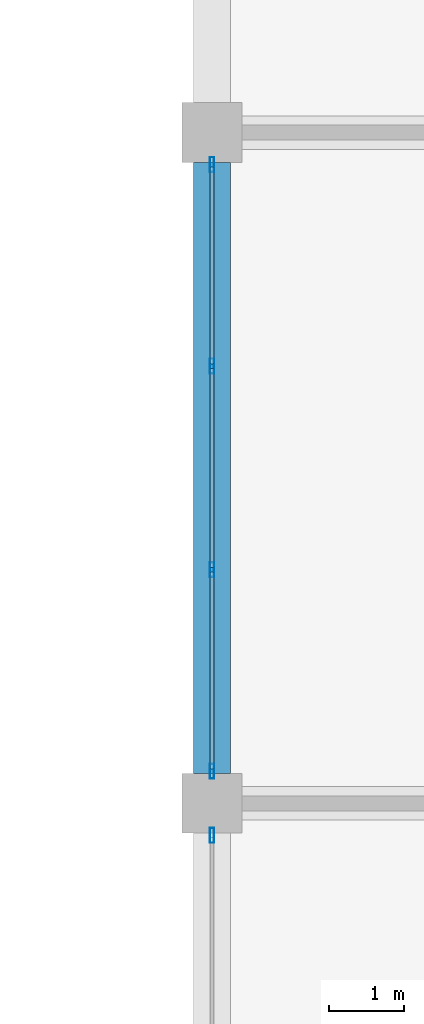
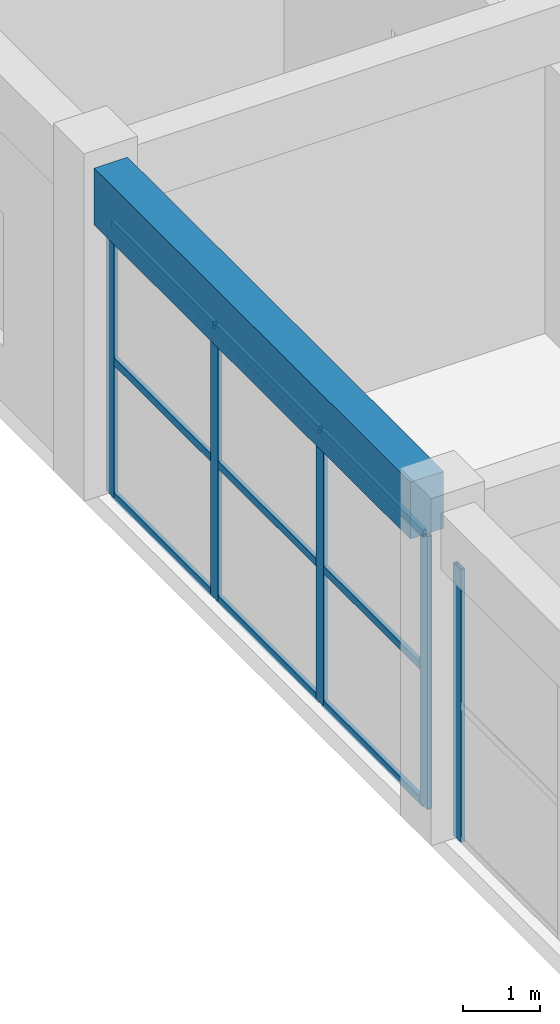
# One storey, part 77 of 185: 14 members, 1 beam, 2 elements without a shape of their own.
"""IFC4 building model written with IfcOpenShell, lengths in metres."""

from ifc_helpers import new_model, si_unit, direction, frame, origin, origin_2d, place, context, subcontext, project, spatial, rectangle, hollow_rectangle, extrude, material, layer, layer_set, material_profile, profile_set, type_object, element, aggregate, save


model = new_model("IFC4")

# Units and contexts
model_context = context("Model", 3, precision=1e-05, world=origin(), true_north=direction((0.0, 1.0)))
body_context = subcontext(model_context, "Body", "Model", "MODEL_VIEW")
ifc_project = project(units=[si_unit("LENGTHUNIT", "METRE"), si_unit("AREAUNIT", "SQUARE_METRE"), si_unit("VOLUMEUNIT", "CUBIC_METRE"), si_unit("PLANEANGLEUNIT", "RADIAN"), si_unit("MASSUNIT", "GRAM", prefix="KILO")], contexts=[model_context])

# Site, building, storey
site_placement = place(None, origin())
site = spatial("IfcSite", under=ifc_project, at=site_placement, CompositionType="ELEMENT")
building_placement = place(site_placement, origin())
building = spatial("IfcBuilding", under=site, at=building_placement, Name="Opaline Strait Convention Centre", CompositionType="ELEMENT")
storey_placement = place(building_placement, frame((0.0, 0.0, 6.0)))
storey = spatial("IfcBuildingStorey", under=building, at=storey_placement, Name="L01", CompositionType="ELEMENT", Elevation=6.0)

# Curtain wall, member
ifc_material_1 = material(Name="Aluminium framed double glazing", Category="aluminium")
ifc_layer = layer(ifc_material_1, 0.199951171875)
ifc_layer_set = layer_set([ifc_layer], Name="Aluminium framed double glazing")
curtain_wall_type = type_object("IfcCurtainWallType", Name="Curtain wall 3000 module unitised", PredefinedType="NOTDEFINED", material=ifc_layer_set)
curtain_wall_1_placement = place(storey_placement, origin())
curtain_wall_1 = element("IfcCurtainWall", 1, at=curtain_wall_1_placement, inside=storey, type_object=curtain_wall_type, Name="Curtain wall W L01 32/S", PredefinedType="NOTDEFINED")
ifc_material_2 = material(Name="Aluminium alloy 6063", Category="aluminium")
ifc_material_profile_1 = material_profile(ifc_material_2, hollow_rectangle(XDim=0.06005859375, YDim=0.199951171875, WallThickness=0.00390625, at=origin_2d()), Name="MULLION 60x200x4")
ifc_profile_set_1 = profile_set([ifc_material_profile_1], Name="Aluminium alloy 6063")
member_type_1 = type_object("IfcMemberType", Name="Curtain wall mullion 60 x 200", PredefinedType="MULLION", material=ifc_profile_set_1)
member_1_placement = place(storey_placement, frame((279.0, 152.570068359375, 0.0), z_axis=(0.0, 0.0, 1.0), x_axis=(-1.0, 0.0, 0.0)))
member_1 = element("IfcMember", 2, at=member_1_placement, type_object=member_type_1, Name="MCWR1 mullion 4", PredefinedType="MULLION", context=body_context, shape_type="SweptSolid", body=[
    extrude(hollow_rectangle(XDim=0.06005859375, YDim=0.199951171875, WallThickness=0.00390625, at=origin_2d()), origin(), (0.0, 0.0, 1.0), 4.320068359375),
])
aggregate(curtain_wall_1, [member_1])

# Curtain wall, members
curtain_wall_2_placement = place(storey_placement, origin())
curtain_wall_2 = element("IfcCurtainWall", 3, at=curtain_wall_2_placement, inside=storey, type_object=curtain_wall_type, Name="Curtain wall W L01 32/T", PredefinedType="NOTDEFINED")
member_2_placement = place(storey_placement, frame((279.0, 153.429931640625, 0.0), z_axis=(0.0, 0.0, 1.0), x_axis=(-1.0, 0.0, 0.0)))
member_2 = element("IfcMember", 4, at=member_2_placement, type_object=member_type_1, Name="MCWR1 mullion 1", PredefinedType="MULLION", context=body_context, shape_type="SweptSolid", body=[
    extrude(hollow_rectangle(XDim=0.06005859375, YDim=0.199951171875, WallThickness=0.00390625, at=origin_2d()), origin(), (0.0, 0.0, 1.0), 4.320068359375),
])
member_3_placement = place(storey_placement, frame((279.0, 156.13330078125, 0.0), z_axis=(0.0, 0.0, 1.0), x_axis=(-1.0, 0.0, 0.0)))
member_3 = element("IfcMember", 5, at=member_3_placement, type_object=member_type_1, Name="MCWR1 mullion 2", PredefinedType="MULLION", context=body_context, shape_type="SweptSolid", body=[
    extrude(hollow_rectangle(XDim=0.06005859375, YDim=0.199951171875, WallThickness=0.00390625, at=origin_2d()), origin(), (0.0, 0.0, 1.0), 4.320068359375),
])
member_4_placement = place(storey_placement, frame((279.0, 158.86669921875, 0.0), z_axis=(0.0, 0.0, 1.0), x_axis=(-1.0, 0.0, 0.0)))
member_4 = element("IfcMember", 6, at=member_4_placement, type_object=member_type_1, Name="MCWR1 mullion 3", PredefinedType="MULLION", context=body_context, shape_type="SweptSolid", body=[
    extrude(hollow_rectangle(XDim=0.06005859375, YDim=0.199951171875, WallThickness=0.00390625, at=origin_2d()), origin(), (0.0, 0.0, 1.0), 4.320068359375),
])
member_5_placement = place(storey_placement, frame((279.0, 161.570068359375, 0.0), z_axis=(0.0, 0.0, 1.0), x_axis=(-1.0, 0.0, 0.0)))
member_5 = element("IfcMember", 7, at=member_5_placement, type_object=member_type_1, Name="MCWR1 mullion 4", PredefinedType="MULLION", context=body_context, shape_type="SweptSolid", body=[
    extrude(hollow_rectangle(XDim=0.06005859375, YDim=0.199951171875, WallThickness=0.00390625, at=origin_2d()), origin(), (0.0, 0.0, 1.0), 4.320068359375),
])
ifc_material_profile_2 = material_profile(ifc_material_2, hollow_rectangle(XDim=0.06005859375, YDim=0.1201171875, WallThickness=0.0029296875, at=origin_2d()), Name="TRANSOM 60x120x3")
ifc_profile_set_2 = profile_set([ifc_material_profile_2], Name="Aluminium alloy 6063")
member_type_2 = type_object("IfcMemberType", Name="Curtain wall transom 60 x 120", PredefinedType="USERDEFINED", material=ifc_profile_set_2)
member_6_placement = place(storey_placement, frame((279.0, 153.4599609375, 0.030029296875), z_axis=(0.0, 1.0, 0.0), x_axis=(-1.0, 0.0, 0.0)))
member_6 = element("IfcMember", 8, at=member_6_placement, type_object=member_type_2, Name="MCWR1 transom 1.1", ObjectType="TRANSOM", PredefinedType="USERDEFINED", context=body_context, shape_type="SweptSolid", body=[
    extrude(hollow_rectangle(XDim=0.06005859375, YDim=0.1201171875, WallThickness=0.0029296875, at=origin_2d()), origin(), (0.0, 0.0, 1.0), 2.643310546875),
])
member_7_placement = place(storey_placement, frame((279.0, 153.4599609375, 2.159912109375), z_axis=(0.0, 1.0, 0.0), x_axis=(-1.0, 0.0, 0.0)))
member_7 = element("IfcMember", 9, at=member_7_placement, type_object=member_type_2, Name="MCWR1 transom 1.2", ObjectType="TRANSOM", PredefinedType="USERDEFINED", context=body_context, shape_type="SweptSolid", body=[
    extrude(hollow_rectangle(XDim=0.06005859375, YDim=0.1201171875, WallThickness=0.0029296875, at=origin_2d()), origin(), (0.0, 0.0, 1.0), 2.643310546875),
])
member_8_placement = place(storey_placement, frame((279.0, 153.4599609375, 4.2900390625), z_axis=(0.0, 1.0, 0.0), x_axis=(-1.0, 0.0, 0.0)))
member_8 = element("IfcMember", 10, at=member_8_placement, type_object=member_type_2, Name="MCWR1 transom 1.3", ObjectType="TRANSOM", PredefinedType="USERDEFINED", context=body_context, shape_type="SweptSolid", body=[
    extrude(hollow_rectangle(XDim=0.06005859375, YDim=0.1201171875, WallThickness=0.0029296875, at=origin_2d()), origin(), (0.0, 0.0, 1.0), 2.643310546875),
])
member_9_placement = place(storey_placement, frame((279.0, 156.163330078125, 0.030029296875), z_axis=(0.0, 1.0, 0.0), x_axis=(-1.0, 0.0, 0.0)))
member_9 = element("IfcMember", 11, at=member_9_placement, type_object=member_type_2, Name="MCWR1 transom 2.1", ObjectType="TRANSOM", PredefinedType="USERDEFINED", context=body_context, shape_type="SweptSolid", body=[
    extrude(hollow_rectangle(XDim=0.06005859375, YDim=0.1201171875, WallThickness=0.0029296875, at=origin_2d()), origin(), (0.0, 0.0, 1.0), 2.67333984375),
])
member_10_placement = place(storey_placement, frame((279.0, 156.163330078125, 2.159912109375), z_axis=(0.0, 1.0, 0.0), x_axis=(-1.0, 0.0, 0.0)))
member_10 = element("IfcMember", 12, at=member_10_placement, type_object=member_type_2, Name="MCWR1 transom 2.2", ObjectType="TRANSOM", PredefinedType="USERDEFINED", context=body_context, shape_type="SweptSolid", body=[
    extrude(hollow_rectangle(XDim=0.06005859375, YDim=0.1201171875, WallThickness=0.0029296875, at=origin_2d()), origin(), (0.0, 0.0, 1.0), 2.67333984375),
])
member_11_placement = place(storey_placement, frame((279.0, 156.163330078125, 4.2900390625), z_axis=(0.0, 1.0, 0.0), x_axis=(-1.0, 0.0, 0.0)))
member_11 = element("IfcMember", 13, at=member_11_placement, type_object=member_type_2, Name="MCWR1 transom 2.3", ObjectType="TRANSOM", PredefinedType="USERDEFINED", context=body_context, shape_type="SweptSolid", body=[
    extrude(hollow_rectangle(XDim=0.06005859375, YDim=0.1201171875, WallThickness=0.0029296875, at=origin_2d()), origin(), (0.0, 0.0, 1.0), 2.67333984375),
])
member_12_placement = place(storey_placement, frame((279.0, 158.896728515625, 0.030029296875), z_axis=(0.0, 1.0, 0.0), x_axis=(-1.0, 0.0, 0.0)))
member_12 = element("IfcMember", 14, at=member_12_placement, type_object=member_type_2, Name="MCWR1 transom 3.1", ObjectType="TRANSOM", PredefinedType="USERDEFINED", context=body_context, shape_type="SweptSolid", body=[
    extrude(hollow_rectangle(XDim=0.06005859375, YDim=0.1201171875, WallThickness=0.0029296875, at=origin_2d()), origin(), (0.0, 0.0, 1.0), 2.643310546875),
])
member_13_placement = place(storey_placement, frame((279.0, 158.896728515625, 2.159912109375), z_axis=(0.0, 1.0, 0.0), x_axis=(-1.0, 0.0, 0.0)))
member_13 = element("IfcMember", 15, at=member_13_placement, type_object=member_type_2, Name="MCWR1 transom 3.2", ObjectType="TRANSOM", PredefinedType="USERDEFINED", context=body_context, shape_type="SweptSolid", body=[
    extrude(hollow_rectangle(XDim=0.06005859375, YDim=0.1201171875, WallThickness=0.0029296875, at=origin_2d()), origin(), (0.0, 0.0, 1.0), 2.643310546875),
])
member_14_placement = place(storey_placement, frame((279.0, 158.896728515625, 4.2900390625), z_axis=(0.0, 1.0, 0.0), x_axis=(-1.0, 0.0, 0.0)))
member_14 = element("IfcMember", 16, at=member_14_placement, type_object=member_type_2, Name="MCWR1 transom 3.3", ObjectType="TRANSOM", PredefinedType="USERDEFINED", context=body_context, shape_type="SweptSolid", body=[
    extrude(hollow_rectangle(XDim=0.06005859375, YDim=0.1201171875, WallThickness=0.0029296875, at=origin_2d()), origin(), (0.0, 0.0, 1.0), 2.643310546875),
])
aggregate(curtain_wall_2, [member_2, member_3, member_4, member_5, member_6, member_7, member_8, member_9, member_10, member_11, member_12, member_13, member_14])

# Beam
ifc_material_3 = material(Name="Concrete C35", Category="concrete")
ifc_material_profile_3 = material_profile(ifc_material_3, rectangle(XDim=0.5, YDim=0.89990234375, at=origin_2d()), Name="RC 500x900")
ifc_profile_set_3 = profile_set([ifc_material_profile_3], Name="Concrete C35")
beam_type = type_object("IfcBeamType", Name="RC edge beam 500x900 C35", PredefinedType="BEAM", material=ifc_profile_set_3)
beam_placement = place(storey_placement, frame((279.0, 153.39990234375, 4.77001953125), z_axis=(0.0, 1.0, 0.0), x_axis=(-1.0, 0.0, 0.0)))
element("IfcBeam", 17, at=beam_placement, inside=storey, type_object=beam_type, Name="MRB2 L01 32/T-32/U", PredefinedType="BEAM", context=body_context, shape_type="SweptSolid", body=[
    extrude(rectangle(XDim=0.5, YDim=0.89990234375, at=origin_2d()), origin(), (0.0, 0.0, 1.0), 8.2001953125),
])

save(model, "model.ifc")
